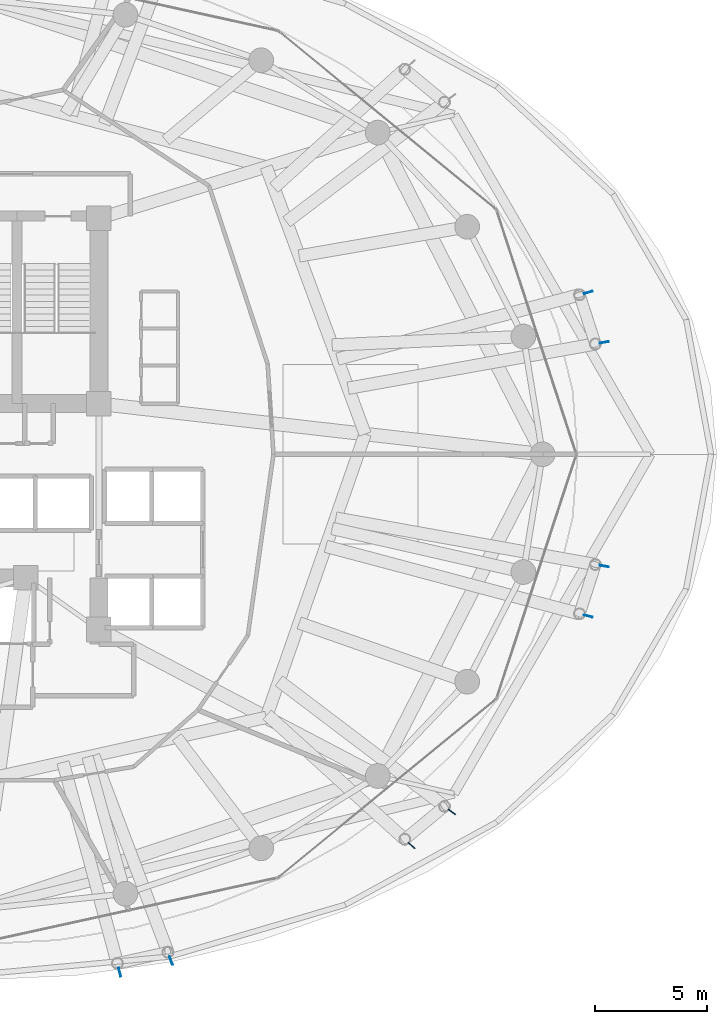
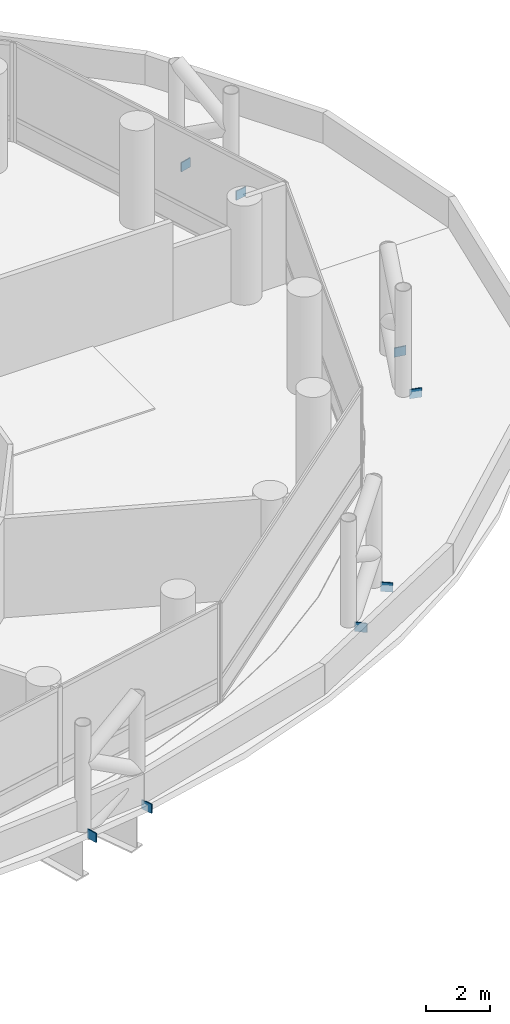
# One storey, part 34 of 37: 8 discrete accessories.
"""IFC4 building model written with IfcOpenShell, lengths in metres."""

from ifc_helpers import new_model, si_unit, direction, frame, origin, origin_2d, place, context, subcontext, project, spatial, rectangle, extrude, material, type_object, element, save


model = new_model("IFC4")

# Units and contexts
model_context = context("Model", 3, precision=1e-05, world=origin(), true_north=direction((0.0, 1.0)))
body_context = subcontext(model_context, "Body", "Model", "MODEL_VIEW")
ifc_project = project(units=[si_unit("LENGTHUNIT", "METRE"), si_unit("AREAUNIT", "SQUARE_METRE"), si_unit("VOLUMEUNIT", "CUBIC_METRE"), si_unit("PLANEANGLEUNIT", "RADIAN"), si_unit("MASSUNIT", "GRAM", prefix="KILO")], contexts=[model_context])

# Site, building, storey
site_placement = place(None, origin())
site = spatial("IfcSite", under=ifc_project, at=site_placement, CompositionType="ELEMENT")
building_placement = place(site_placement, origin())
building = spatial("IfcBuilding", under=site, at=building_placement, Name="Nuhasar Tower", CompositionType="ELEMENT")
storey_placement = place(building_placement, frame((0.0, 0.0, 21.0)))
storey = spatial("IfcBuildingStorey", under=building, at=storey_placement, Name="L04", CompositionType="ELEMENT", Elevation=21.0)

# Discrete accessories
ifc_material = material(Name="Steel S460", Category="steel")
discrete_accessory_type = type_object("IfcDiscreteAccessoryType", Name="ACC-GUS-40", PredefinedType="USERDEFINED", material=ifc_material)
for number, where, z_axis, x_axis, name in (
    (1, (66.798095703125, 31.781005859375, -0.260009765625), (0.0, 0.0, 1.0), (0.984322075157, 0.176380419433, 0.0), "L04 Exoskeleton Chord Column EC-01A Gusset Plate"),
    (2, (66.08203125, 34.0029296875, -0.260009765625), (0.0, 0.0, 1.0), (0.966403000906, 0.257031593079, 0.0), "L04 Exoskeleton Chord Column EC-01B Gusset Plate"),
    (3, (45.22900390625, 3.7509765625, -0.260009765625), (0.0, 0.0, 1.0), (0.260908902007, -0.965363426308, 0.0), "L04 Exoskeleton Chord Column EC-10A Gusset Plate"),
    (4, (47.512939453125, 4.261962890625, -0.260009765625), (0.0, 0.0, 1.0), (0.353344227708, -0.93549337611, 0.0), "L04 Exoskeleton Chord Column EC-10B Gusset Plate"),
    (5, (58.2119140625, 9.389892578125, -0.260009765625), (0.0, 0.0, 1.0), (0.741003867187, -0.671500758611, 0.0), "L04 Exoskeleton Chord Column EC-11A Gusset Plate"),
    (6, (60.007080078125, 10.885009765625, -0.260009765625), (0.0, 0.0, 1.0), (0.797078306655, -0.60387595834, 0.0), "L04 Exoskeleton Chord Column EC-11B Gusset Plate"),
    (7, (66.08203125, 19.596923828125, -0.260009765625), (0.0, 0.0, 1.0), (0.966403000906, -0.257031593079, 0.0), "L04 Exoskeleton Chord Column EC-12A Gusset Plate"),
    (8, (66.798095703125, 21.819091796875, -0.260009765625), (0.0, 0.0, 1.0), (0.984322075157, -0.176380419433, 0.0), "L04 Exoskeleton Chord Column EC-12B Gusset Plate"),
):
    element("IfcDiscreteAccessory", number, at=place(storey_placement, frame(where, z_axis=z_axis, x_axis=x_axis)), inside=storey, type_object=discrete_accessory_type, Name=name, ObjectType="STEEL_GUSSET_PLATE", PredefinedType="USERDEFINED", context=body_context, shape_type="SweptSolid", body=[
        extrude(rectangle(XDim=0.39990234375, YDim=0.0400390625, at=origin_2d()), origin(), (0.0, 0.0, 1.0), 0.35009765625),
    ])

save(model, "model.ifc")
